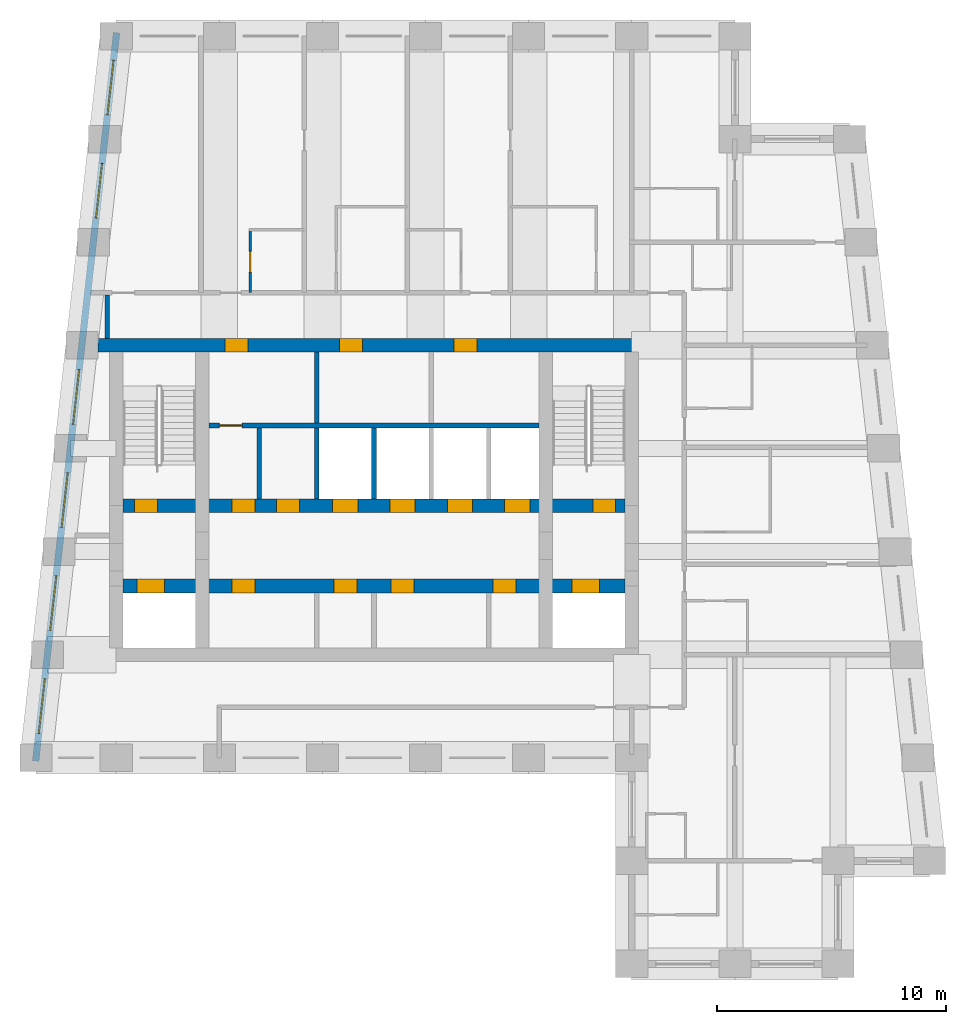
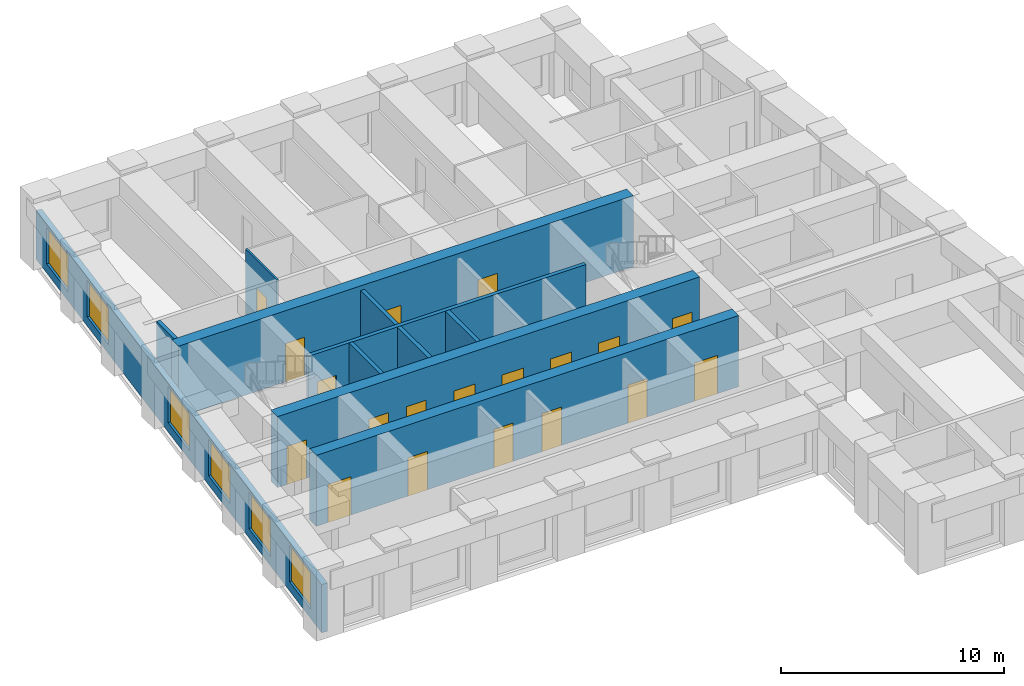
# One storey, part 3 of 7: 19 doors, 11 walls, 6 windows, 25 openings.
"""IFC4 building model written with IfcOpenShell, lengths in metres."""

from ifc_helpers import new_model, si_unit, direction, frame, frame_2d, origin, place, context, subcontext, project, spatial, rectangle, extrude, material, layer, layer_set, type_object, element, fill, save


model = new_model("IFC4")

# Units and contexts
model_context = context("Model", 3, precision=1e-05, world=origin(), true_north=direction((0.0, 1.0)))
body_context = subcontext(model_context, "Body", "Model", "MODEL_VIEW")
ifc_project = project(units=[si_unit("LENGTHUNIT", "METRE"), si_unit("AREAUNIT", "SQUARE_METRE"), si_unit("VOLUMEUNIT", "CUBIC_METRE"), si_unit("PLANEANGLEUNIT", "RADIAN"), si_unit("MASSUNIT", "GRAM", prefix="KILO")], contexts=[model_context])

# Site, building, storey
site_placement = place(None, origin())
site = spatial("IfcSite", under=ifc_project, at=site_placement, CompositionType="ELEMENT")
building_placement = place(site_placement, origin())
building = spatial("IfcBuilding", under=site, at=building_placement, Name="Kilele Tower Hotel", CompositionType="ELEMENT")
storey_placement = place(building_placement, frame((0.0, 0.0, 270.199951171875)))
storey = spatial("IfcBuildingStorey", under=building, at=storey_placement, Name="L69", CompositionType="ELEMENT", Elevation=270.199951171875)

# Wall, opening, door
ifc_material_1 = material(Name="Moisture-resistant board")
ifc_layer_1 = layer(ifc_material_1, 0.10009765625)
ifc_layer_set_1 = layer_set([ifc_layer_1], Name="Moisture-resistant board")
wall_type_1 = type_object("IfcWallType", Name="Bathroom partition 100", PredefinedType="PLUMBINGWALL", material=ifc_layer_set_1)
wall_1_placement = place(storey_placement, frame((19.35009765625, 29.300048828125, 0.0), z_axis=(0.0, 0.0, 1.0), x_axis=(0.0, 1.0, 0.0)))
wall_1 = element("IfcWall", 1, at=wall_1_placement, inside=storey, type_object=wall_type_1, Name="Bathroom partition 100 L69", PredefinedType="PLUMBINGWALL", context=body_context, shape_type="SweptSolid", body=[
    extrude(rectangle(XDim=2.800048828125, YDim=0.10009765625, at=frame_2d((1.39990234375, 0.0))), origin(), (0.0, 0.0, 1.0), 3.650146484375),
])
opening_1_placement = place(wall_1_placement, frame((0.89990234375, 0.0, 0.0)))
opening_1 = element("IfcOpeningElement", 2, at=opening_1_placement, cuts=wall_1, Name="Opening D2A", PredefinedType="OPENING", context=body_context, shape_type="SweptSolid", body=[
    extrude(rectangle(XDim=0.89990234375, YDim=2.10009765625, at=frame_2d((0.449951171875, 1.050048828125))), frame((0.0, 0.06005859375, 0.0), z_axis=(0.0, -1.0, 0.0), x_axis=(1.0, 0.0, 0.0)), (0.0, 0.0, 1.0), 0.1201171875),
])
ifc_material_2 = material(Name="Timber door leaf in hardwood frame", Category="wood")
door_type_1 = type_object("IfcDoorType", Name="Bathroom door 900", OperationType="SINGLE_SWING_LEFT", PredefinedType="DOOR", material=ifc_material_2)
door_1_placement = place(opening_1_placement, origin())
door_1 = element("IfcDoor", 3, at=door_1_placement, inside=storey, type_object=door_type_1, Name="Bathroom door 6907B", OperationType="SINGLE_SWING_LEFT", OverallHeight=2.10009765625, OverallWidth=0.89990234375, PredefinedType="DOOR", context=body_context, shape_type="SweptSolid", body=[
    extrude(rectangle(XDim=0.89990234375, YDim=2.10009765625, at=frame_2d((0.449951171875, 1.050048828125))), frame((0.0, 0.02490234375, 0.0), z_axis=(0.0, -1.0, 0.0), x_axis=(1.0, 0.0, 0.0)), (0.0, 0.0, 1.0), 0.050048828125),
])
fill(opening_1, door_1)

# Wall, openings, doors
ifc_material_3 = material(Name="Concrete C60/75", Category="concrete")
ifc_layer_2 = layer(ifc_material_3, 0.60009765625)
ifc_layer_set_2 = layer_set([ifc_layer_2], Name="Concrete C60/75")
wall_type_2 = type_object("IfcWallType", Name="Core wall 600 C60/75", PredefinedType="SHEAR", material=ifc_layer_set_2)
wall_2_placement = place(storey_placement, frame((36.300048828125, 27.0, 0.0), z_axis=(0.0, 0.0, 1.0), x_axis=(-1.0, 0.0, 0.0)))
wall_2 = element("IfcWall", 4, at=wall_2_placement, inside=storey, type_object=wall_type_2, Name="Core wall N L69", PredefinedType="SHEAR", context=body_context, shape_type="SweptSolid", body=[
    extrude(rectangle(XDim=23.60009765625, YDim=0.60009765625, at=frame_2d((11.800048828125, 0.0))), origin(), (0.0, 0.0, 1.0), 3.900146484375),
])
opening_2_placement = place(wall_2_placement, frame((17.050048828125, 0.0, 0.0)))
opening_2 = element("IfcOpeningElement", 5, at=opening_2_placement, cuts=wall_2, Name="Opening D12", PredefinedType="OPENING", context=body_context, shape_type="SweptSolid", body=[
    extrude(rectangle(XDim=1.0, YDim=2.10009765625, at=frame_2d((0.5, 1.050048828125))), frame((0.0, 0.31005859375, 0.0), z_axis=(0.0, -1.0, 0.0), x_axis=(1.0, 0.0, 0.0)), (0.0, 0.0, 1.0), 0.6201171875),
])
opening_3_placement = place(wall_2_placement, frame((12.050048828125, 0.0, 0.0)))
opening_3 = element("IfcOpeningElement", 6, at=opening_3_placement, cuts=wall_2, Name="Opening D6", PredefinedType="OPENING", context=body_context, shape_type="SweptSolid", body=[
    extrude(rectangle(XDim=1.0, YDim=2.10009765625, at=frame_2d((0.5, 1.050048828125))), frame((0.0, 0.31005859375, 0.0), z_axis=(0.0, -1.0, 0.0), x_axis=(1.0, 0.0, 0.0)), (0.0, 0.0, 1.0), 0.6201171875),
])
opening_4_placement = place(wall_2_placement, frame((7.050048828125, 0.0, 0.0)))
opening_4 = element("IfcOpeningElement", 7, at=opening_4_placement, cuts=wall_2, Name="Opening D6", PredefinedType="OPENING", context=body_context, shape_type="SweptSolid", body=[
    extrude(rectangle(XDim=1.0, YDim=2.10009765625, at=frame_2d((0.5, 1.050048828125))), frame((0.0, 0.31005859375, 0.0), z_axis=(0.0, -1.0, 0.0), x_axis=(1.0, 0.0, 0.0)), (0.0, 0.0, 1.0), 0.6201171875),
])
ifc_material_4 = material(Name="Timber door leaf in hardwood frame", Category="wood")
door_type_2 = type_object("IfcDoorType", Name="Core lobby door 1000", OperationType="SINGLE_SWING_LEFT", PredefinedType="DOOR", material=ifc_material_4)
door_2_placement = place(opening_2_placement, origin())
door_2 = element("IfcDoor", 8, at=door_2_placement, inside=storey, type_object=door_type_2, Name="North lobby door L69", OperationType="SINGLE_SWING_RIGHT", OverallHeight=2.10009765625, OverallWidth=1.0, PredefinedType="DOOR", context=body_context, shape_type="SweptSolid", body=[
    extrude(rectangle(XDim=1.0, YDim=2.10009765625, at=frame_2d((0.5, 1.050048828125))), frame((0.0, 0.2998046875, 0.0), z_axis=(0.0, -1.0, 0.0), x_axis=(1.0, 0.0, 0.0)), (0.0, 0.0, 1.0), 0.599609375),
])
fill(opening_2, door_2)
ifc_material_5 = material(Name="Timber door leaf in hardwood frame", Category="wood")
door_type_3 = type_object("IfcDoorType", Name="Riser door 1000", OperationType="SINGLE_SWING_LEFT", PredefinedType="DOOR", material=ifc_material_5)
door_3_placement = place(opening_3_placement, origin())
door_3 = element("IfcDoor", 9, at=door_3_placement, inside=storey, type_object=door_type_3, Name="Guest pantry door L69", OperationType="SINGLE_SWING_RIGHT", OverallHeight=2.10009765625, OverallWidth=1.0, PredefinedType="DOOR", context=body_context, shape_type="SweptSolid", body=[
    extrude(rectangle(XDim=1.0, YDim=2.10009765625, at=frame_2d((0.5, 1.050048828125))), frame((0.0, 0.2998046875, 0.0), z_axis=(0.0, -1.0, 0.0), x_axis=(1.0, 0.0, 0.0)), (0.0, 0.0, 1.0), 0.599609375),
])
fill(opening_3, door_3)
door_4_placement = place(opening_4_placement, origin())
door_4 = element("IfcDoor", 10, at=door_4_placement, inside=storey, type_object=door_type_3, Name="Electrical riser door L69", OperationType="SINGLE_SWING_RIGHT", OverallHeight=2.10009765625, OverallWidth=1.0, PredefinedType="DOOR", context=body_context, shape_type="SweptSolid", body=[
    extrude(rectangle(XDim=1.0, YDim=2.10009765625, at=frame_2d((0.5, 1.050048828125))), frame((0.0, 0.2998046875, 0.0), z_axis=(0.0, -1.0, 0.0), x_axis=(1.0, 0.0, 0.0)), (0.0, 0.0, 1.0), 0.599609375),
])
fill(opening_4, door_4)

wall_3_placement = place(storey_placement, frame((13.800048828125, 16.5, 0.0), z_axis=(0.0, 0.0, 1.0), x_axis=(1.0, 0.0, 0.0)))
wall_3 = element("IfcWall", 11, at=wall_3_placement, inside=storey, type_object=wall_type_2, Name="Core wall LS L69", PredefinedType="SHEAR", context=body_context, shape_type="SweptSolid", body=[
    extrude(rectangle(XDim=21.89990234375, YDim=0.60009765625, at=frame_2d((10.949951171875, 0.0))), origin(), (0.0, 0.0, 1.0), 3.900146484375),
])
opening_5_placement = place(wall_3_placement, frame((5.75, 0.0, 0.0), z_axis=(0.0, 0.0, 1.0), x_axis=(-1.0, 0.0, 0.0)))
opening_5 = element("IfcOpeningElement", 12, at=opening_5_placement, cuts=wall_3, Name="Opening D11", PredefinedType="OPENING", context=body_context, shape_type="SweptSolid", body=[
    extrude(rectangle(XDim=1.0, YDim=2.10009765625, at=frame_2d((0.5, 1.050048828125))), frame((0.0, 0.31005859375, 0.0), z_axis=(0.0, -1.0, 0.0), x_axis=(1.0, 0.0, 0.0)), (0.0, 0.0, 1.0), 0.6201171875),
])
opening_6_placement = place(wall_3_placement, frame((10.199951171875, 0.0, 0.0), z_axis=(0.0, 0.0, 1.0), x_axis=(-1.0, 0.0, 0.0)))
opening_6 = element("IfcOpeningElement", 13, at=opening_6_placement, cuts=wall_3, Name="Opening D11", PredefinedType="OPENING", context=body_context, shape_type="SweptSolid", body=[
    extrude(rectangle(XDim=1.0, YDim=2.10009765625, at=frame_2d((0.5, 1.050048828125))), frame((0.0, 0.31005859375, 0.0), z_axis=(0.0, -1.0, 0.0), x_axis=(1.0, 0.0, 0.0)), (0.0, 0.0, 1.0), 0.6201171875),
])
opening_7_placement = place(wall_3_placement, frame((12.699951171875, 0.0, 0.0), z_axis=(0.0, 0.0, 1.0), x_axis=(-1.0, 0.0, 0.0)))
opening_7 = element("IfcOpeningElement", 14, at=opening_7_placement, cuts=wall_3, Name="Opening D11", PredefinedType="OPENING", context=body_context, shape_type="SweptSolid", body=[
    extrude(rectangle(XDim=1.0, YDim=2.10009765625, at=frame_2d((0.5, 1.050048828125))), frame((0.0, 0.31005859375, 0.0), z_axis=(0.0, -1.0, 0.0), x_axis=(1.0, 0.0, 0.0)), (0.0, 0.0, 1.0), 0.6201171875),
])
opening_8_placement = place(wall_3_placement, frame((17.14990234375, 0.0, 0.0), z_axis=(0.0, 0.0, 1.0), x_axis=(-1.0, 0.0, 0.0)))
opening_8 = element("IfcOpeningElement", 15, at=opening_8_placement, cuts=wall_3, Name="Opening D11", PredefinedType="OPENING", context=body_context, shape_type="SweptSolid", body=[
    extrude(rectangle(XDim=1.0, YDim=2.10009765625, at=frame_2d((0.5, 1.050048828125))), frame((0.0, 0.31005859375, 0.0), z_axis=(0.0, -1.0, 0.0), x_axis=(1.0, 0.0, 0.0)), (0.0, 0.0, 1.0), 0.6201171875),
])
opening_9_placement = place(wall_3_placement, frame((0.60009765625, 0.0, 0.0)))
opening_9 = element("IfcOpeningElement", 16, at=opening_9_placement, cuts=wall_3, Name="Opening LD2", PredefinedType="OPENING", context=body_context, shape_type="SweptSolid", body=[
    extrude(rectangle(XDim=1.199951171875, YDim=2.10009765625, at=frame_2d((0.60009765625, 1.050048828125))), frame((0.0, 0.31005859375, 0.0), z_axis=(0.0, -1.0, 0.0), x_axis=(1.0, 0.0, 0.0)), (0.0, 0.0, 1.0), 0.6201171875),
])
opening_10_placement = place(wall_3_placement, frame((19.60009765625, 0.0, 0.0)))
opening_10 = element("IfcOpeningElement", 17, at=opening_10_placement, cuts=wall_3, Name="Opening LD2", PredefinedType="OPENING", context=body_context, shape_type="SweptSolid", body=[
    extrude(rectangle(XDim=1.199951171875, YDim=2.10009765625, at=frame_2d((0.60009765625, 1.050048828125))), frame((0.0, 0.31005859375, 0.0), z_axis=(0.0, -1.0, 0.0), x_axis=(1.0, 0.0, 0.0)), (0.0, 0.0, 1.0), 0.6201171875),
])
ifc_material_6 = material(Name="Timber door leaf in hardwood frame", Category="wood")
door_type_4 = type_object("IfcDoorType", Name="Core store door 1000", OperationType="SINGLE_SWING_LEFT", PredefinedType="DOOR", material=ifc_material_6)
door_5_placement = place(opening_5_placement, origin())
door_5 = element("IfcDoor", 18, at=door_5_placement, inside=storey, type_object=door_type_4, Name="Core room door L1 L69", OperationType="SINGLE_SWING_RIGHT", OverallHeight=2.10009765625, OverallWidth=1.0, PredefinedType="DOOR", context=body_context, shape_type="SweptSolid", body=[
    extrude(rectangle(XDim=1.0, YDim=2.10009765625, at=frame_2d((0.5, 1.050048828125))), frame((0.0, 0.2998046875, 0.0), z_axis=(0.0, -1.0, 0.0), x_axis=(1.0, 0.0, 0.0)), (0.0, 0.0, 1.0), 0.599609375),
])
fill(opening_5, door_5)
door_6_placement = place(opening_6_placement, origin())
door_6 = element("IfcDoor", 19, at=door_6_placement, inside=storey, type_object=door_type_4, Name="Core room door L3 L69", OperationType="SINGLE_SWING_RIGHT", OverallHeight=2.10009765625, OverallWidth=1.0, PredefinedType="DOOR", context=body_context, shape_type="SweptSolid", body=[
    extrude(rectangle(XDim=1.0, YDim=2.10009765625, at=frame_2d((0.5, 1.050048828125))), frame((0.0, 0.2998046875, 0.0), z_axis=(0.0, -1.0, 0.0), x_axis=(1.0, 0.0, 0.0)), (0.0, 0.0, 1.0), 0.599609375),
])
fill(opening_6, door_6)
door_7_placement = place(opening_7_placement, origin())
door_7 = element("IfcDoor", 20, at=door_7_placement, inside=storey, type_object=door_type_4, Name="Core room door M1 L69", OperationType="SINGLE_SWING_RIGHT", OverallHeight=2.10009765625, OverallWidth=1.0, PredefinedType="DOOR", context=body_context, shape_type="SweptSolid", body=[
    extrude(rectangle(XDim=1.0, YDim=2.10009765625, at=frame_2d((0.5, 1.050048828125))), frame((0.0, 0.2998046875, 0.0), z_axis=(0.0, -1.0, 0.0), x_axis=(1.0, 0.0, 0.0)), (0.0, 0.0, 1.0), 0.599609375),
])
fill(opening_7, door_7)
door_8_placement = place(opening_8_placement, origin())
door_8 = element("IfcDoor", 21, at=door_8_placement, inside=storey, type_object=door_type_4, Name="Core room door M3 L69", OperationType="SINGLE_SWING_RIGHT", OverallHeight=2.10009765625, OverallWidth=1.0, PredefinedType="DOOR", context=body_context, shape_type="SweptSolid", body=[
    extrude(rectangle(XDim=1.0, YDim=2.10009765625, at=frame_2d((0.5, 1.050048828125))), frame((0.0, 0.2998046875, 0.0), z_axis=(0.0, -1.0, 0.0), x_axis=(1.0, 0.0, 0.0)), (0.0, 0.0, 1.0), 0.599609375),
])
fill(opening_8, door_8)
ifc_material_7 = material(Name="Steel lift landing door", Category="steel")
door_type_5 = type_object("IfcDoorType", Name="Firefighting lift landing door 1200", OperationType="SLIDING_TO_LEFT", PredefinedType="DOOR", material=ifc_material_7)
door_9_placement = place(opening_9_placement, origin())
door_9 = element("IfcDoor", 22, at=door_9_placement, inside=storey, type_object=door_type_5, Name="Landing door FFW L69", OperationType="SLIDING_TO_LEFT", OverallHeight=2.10009765625, OverallWidth=1.199951171875, PredefinedType="DOOR", context=body_context, shape_type="SweptSolid", body=[
    extrude(rectangle(XDim=1.199951171875, YDim=2.10009765625, at=frame_2d((0.60009765625, 1.050048828125))), frame((0.0, 0.2998046875, 0.0), z_axis=(0.0, -1.0, 0.0), x_axis=(1.0, 0.0, 0.0)), (0.0, 0.0, 1.0), 0.599609375),
])
fill(opening_9, door_9)
door_10_placement = place(opening_10_placement, origin())
door_10 = element("IfcDoor", 23, at=door_10_placement, inside=storey, type_object=door_type_5, Name="Landing door FFE L69", OperationType="SLIDING_TO_LEFT", OverallHeight=2.10009765625, OverallWidth=1.199951171875, PredefinedType="DOOR", context=body_context, shape_type="SweptSolid", body=[
    extrude(rectangle(XDim=1.199951171875, YDim=2.10009765625, at=frame_2d((0.60009765625, 1.050048828125))), frame((0.0, 0.2998046875, 0.0), z_axis=(0.0, -1.0, 0.0), x_axis=(1.0, 0.0, 0.0)), (0.0, 0.0, 1.0), 0.599609375),
])
fill(opening_10, door_10)

wall_4_placement = place(storey_placement, frame((13.800048828125, 20.0, 0.0), z_axis=(0.0, 0.0, 1.0), x_axis=(1.0, 0.0, 0.0)))
wall_4 = element("IfcWall", 24, at=wall_4_placement, inside=storey, type_object=wall_type_2, Name="Core wall LN L69", PredefinedType="SHEAR", context=body_context, shape_type="SweptSolid", body=[
    extrude(rectangle(XDim=21.89990234375, YDim=0.60009765625, at=frame_2d((10.949951171875, 0.0))), origin(), (0.0, 0.0, 1.0), 3.900146484375),
])
opening_11_placement = place(wall_4_placement, frame((0.5, 0.0, 0.0)))
opening_11 = element("IfcOpeningElement", 25, at=opening_11_placement, cuts=wall_4, Name="Opening D5", PredefinedType="OPENING", context=body_context, shape_type="SweptSolid", body=[
    extrude(rectangle(XDim=1.0, YDim=2.10009765625, at=frame_2d((0.5, 1.050048828125))), frame((0.0, 0.31005859375, 0.0), z_axis=(0.0, -1.0, 0.0), x_axis=(1.0, 0.0, 0.0)), (0.0, 0.0, 1.0), 0.6201171875),
])
opening_12_placement = place(wall_4_placement, frame((20.5, 0.0, 0.0)))
opening_12 = element("IfcOpeningElement", 26, at=opening_12_placement, cuts=wall_4, Name="Opening D5", PredefinedType="OPENING", context=body_context, shape_type="SweptSolid", body=[
    extrude(rectangle(XDim=1.0, YDim=2.10009765625, at=frame_2d((0.5, 1.050048828125))), frame((0.0, 0.31005859375, 0.0), z_axis=(0.0, -1.0, 0.0), x_axis=(1.0, 0.0, 0.0)), (0.0, 0.0, 1.0), 0.6201171875),
])
opening_13_placement = place(wall_4_placement, frame((9.14990234375, 0.0, 0.0)))
opening_13 = element("IfcOpeningElement", 27, at=opening_13_placement, cuts=wall_4, Name="Opening LD1", PredefinedType="OPENING", context=body_context, shape_type="SweptSolid", body=[
    extrude(rectangle(XDim=1.10009765625, YDim=2.10009765625, at=frame_2d((0.550048828125, 1.050048828125))), frame((0.0, 0.31005859375, 0.0), z_axis=(0.0, -1.0, 0.0), x_axis=(1.0, 0.0, 0.0)), (0.0, 0.0, 1.0), 0.6201171875),
])
opening_14_placement = place(wall_4_placement, frame((11.64990234375, 0.0, 0.0)))
opening_14 = element("IfcOpeningElement", 28, at=opening_14_placement, cuts=wall_4, Name="Opening LD1", PredefinedType="OPENING", context=body_context, shape_type="SweptSolid", body=[
    extrude(rectangle(XDim=1.10009765625, YDim=2.10009765625, at=frame_2d((0.550048828125, 1.050048828125))), frame((0.0, 0.31005859375, 0.0), z_axis=(0.0, -1.0, 0.0), x_axis=(1.0, 0.0, 0.0)), (0.0, 0.0, 1.0), 0.6201171875),
])
opening_15_placement = place(wall_4_placement, frame((14.14990234375, 0.0, 0.0)))
opening_15 = element("IfcOpeningElement", 29, at=opening_15_placement, cuts=wall_4, Name="Opening LD1", PredefinedType="OPENING", context=body_context, shape_type="SweptSolid", body=[
    extrude(rectangle(XDim=1.10009765625, YDim=2.10009765625, at=frame_2d((0.550048828125, 1.050048828125))), frame((0.0, 0.31005859375, 0.0), z_axis=(0.0, -1.0, 0.0), x_axis=(1.0, 0.0, 0.0)), (0.0, 0.0, 1.0), 0.6201171875),
])
opening_16_placement = place(wall_4_placement, frame((16.64990234375, 0.0, 0.0)))
opening_16 = element("IfcOpeningElement", 30, at=opening_16_placement, cuts=wall_4, Name="Opening LD1", PredefinedType="OPENING", context=body_context, shape_type="SweptSolid", body=[
    extrude(rectangle(XDim=1.10009765625, YDim=2.10009765625, at=frame_2d((0.550048828125, 1.050048828125))), frame((0.0, 0.31005859375, 0.0), z_axis=(0.0, -1.0, 0.0), x_axis=(1.0, 0.0, 0.0)), (0.0, 0.0, 1.0), 0.6201171875),
])
opening_17_placement = place(wall_4_placement, frame((5.75, 0.0, 0.0), z_axis=(0.0, 0.0, 1.0), x_axis=(-1.0, 0.0, 0.0)))
opening_17 = element("IfcOpeningElement", 31, at=opening_17_placement, cuts=wall_4, Name="Opening D12", PredefinedType="OPENING", context=body_context, shape_type="SweptSolid", body=[
    extrude(rectangle(XDim=1.0, YDim=2.10009765625, at=frame_2d((0.5, 1.050048828125))), frame((0.0, 0.31005859375, 0.0), z_axis=(0.0, -1.0, 0.0), x_axis=(1.0, 0.0, 0.0)), (0.0, 0.0, 1.0), 0.6201171875),
])
opening_18_placement = place(wall_4_placement, frame((6.699951171875, 0.0, 0.0)))
opening_18 = element("IfcOpeningElement", 32, at=opening_18_placement, cuts=wall_4, Name="Opening D11", PredefinedType="OPENING", context=body_context, shape_type="SweptSolid", body=[
    extrude(rectangle(XDim=1.0, YDim=2.10009765625, at=frame_2d((0.5, 1.050048828125))), frame((0.0, 0.31005859375, 0.0), z_axis=(0.0, -1.0, 0.0), x_axis=(1.0, 0.0, 0.0)), (0.0, 0.0, 1.0), 0.6201171875),
])
door_11_placement = place(opening_17_placement, origin())
door_11 = element("IfcDoor", 33, at=door_11_placement, inside=storey, type_object=door_type_2, Name="Core passage door L69", OperationType="SINGLE_SWING_RIGHT", OverallHeight=2.10009765625, OverallWidth=1.0, PredefinedType="DOOR", context=body_context, shape_type="SweptSolid", body=[
    extrude(rectangle(XDim=1.0, YDim=2.10009765625, at=frame_2d((0.5, 1.050048828125))), frame((0.0, 0.2998046875, 0.0), z_axis=(0.0, -1.0, 0.0), x_axis=(1.0, 0.0, 0.0)), (0.0, 0.0, 1.0), 0.599609375),
])
fill(opening_17, door_11)
door_12_placement = place(opening_18_placement, origin())
door_12 = element("IfcDoor", 34, at=door_12_placement, inside=storey, type_object=door_type_4, Name="Core room door S2 L69", OperationType="SINGLE_SWING_LEFT", OverallHeight=2.10009765625, OverallWidth=1.0, PredefinedType="DOOR", context=body_context, shape_type="SweptSolid", body=[
    extrude(rectangle(XDim=1.0, YDim=2.10009765625, at=frame_2d((0.5, 1.050048828125))), frame((0.0, 0.2998046875, 0.0), z_axis=(0.0, -1.0, 0.0), x_axis=(1.0, 0.0, 0.0)), (0.0, 0.0, 1.0), 0.599609375),
])
fill(opening_18, door_12)
ifc_material_8 = material(Name="Steel lift landing door", Category="steel")
door_type_6 = type_object("IfcDoorType", Name="Lift landing door 1100", OperationType="SLIDING_TO_LEFT", PredefinedType="DOOR", material=ifc_material_8)
door_13_placement = place(opening_13_placement, origin())
door_13 = element("IfcDoor", 35, at=door_13_placement, inside=storey, type_object=door_type_6, Name="Landing door H1 L69", OperationType="SLIDING_TO_LEFT", OverallHeight=2.10009765625, OverallWidth=1.10009765625, PredefinedType="DOOR", context=body_context, shape_type="SweptSolid", body=[
    extrude(rectangle(XDim=1.10009765625, YDim=2.10009765625, at=frame_2d((0.550048828125, 1.050048828125))), frame((0.0, 0.2998046875, 0.0), z_axis=(0.0, -1.0, 0.0), x_axis=(1.0, 0.0, 0.0)), (0.0, 0.0, 1.0), 0.599609375),
])
fill(opening_13, door_13)
door_14_placement = place(opening_14_placement, origin())
door_14 = element("IfcDoor", 36, at=door_14_placement, inside=storey, type_object=door_type_6, Name="Landing door H2 L69", OperationType="SLIDING_TO_LEFT", OverallHeight=2.10009765625, OverallWidth=1.10009765625, PredefinedType="DOOR", context=body_context, shape_type="SweptSolid", body=[
    extrude(rectangle(XDim=1.10009765625, YDim=2.10009765625, at=frame_2d((0.550048828125, 1.050048828125))), frame((0.0, 0.2998046875, 0.0), z_axis=(0.0, -1.0, 0.0), x_axis=(1.0, 0.0, 0.0)), (0.0, 0.0, 1.0), 0.599609375),
])
fill(opening_14, door_14)
door_15_placement = place(opening_15_placement, origin())
door_15 = element("IfcDoor", 37, at=door_15_placement, inside=storey, type_object=door_type_6, Name="Landing door H3 L69", OperationType="SLIDING_TO_LEFT", OverallHeight=2.10009765625, OverallWidth=1.10009765625, PredefinedType="DOOR", context=body_context, shape_type="SweptSolid", body=[
    extrude(rectangle(XDim=1.10009765625, YDim=2.10009765625, at=frame_2d((0.550048828125, 1.050048828125))), frame((0.0, 0.2998046875, 0.0), z_axis=(0.0, -1.0, 0.0), x_axis=(1.0, 0.0, 0.0)), (0.0, 0.0, 1.0), 0.599609375),
])
fill(opening_15, door_15)
door_16_placement = place(opening_16_placement, origin())
door_16 = element("IfcDoor", 38, at=door_16_placement, inside=storey, type_object=door_type_6, Name="Landing door G1 L69", OperationType="SLIDING_TO_LEFT", OverallHeight=2.10009765625, OverallWidth=1.10009765625, PredefinedType="DOOR", context=body_context, shape_type="SweptSolid", body=[
    extrude(rectangle(XDim=1.10009765625, YDim=2.10009765625, at=frame_2d((0.550048828125, 1.050048828125))), frame((0.0, 0.2998046875, 0.0), z_axis=(0.0, -1.0, 0.0), x_axis=(1.0, 0.0, 0.0)), (0.0, 0.0, 1.0), 0.599609375),
])
fill(opening_16, door_16)
ifc_material_9 = material(Name="Timber door leaf in hardwood frame", Category="wood")
door_type_7 = type_object("IfcDoorType", Name="Stair door 1000", OperationType="SINGLE_SWING_LEFT", PredefinedType="DOOR", material=ifc_material_9)
door_17_placement = place(opening_11_placement, origin())
door_17 = element("IfcDoor", 39, at=door_17_placement, inside=storey, type_object=door_type_7, Name="Stair 1 door L69", OperationType="SINGLE_SWING_LEFT", OverallHeight=2.10009765625, OverallWidth=1.0, PredefinedType="DOOR", context=body_context, shape_type="SweptSolid", body=[
    extrude(rectangle(XDim=1.0, YDim=2.10009765625, at=frame_2d((0.5, 1.050048828125))), frame((0.0, 0.2998046875, 0.0), z_axis=(0.0, -1.0, 0.0), x_axis=(1.0, 0.0, 0.0)), (0.0, 0.0, 1.0), 0.599609375),
])
fill(opening_11, door_17)
door_18_placement = place(opening_12_placement, origin())
door_18 = element("IfcDoor", 40, at=door_18_placement, inside=storey, type_object=door_type_7, Name="Stair 2 door L69", OperationType="SINGLE_SWING_RIGHT", OverallHeight=2.10009765625, OverallWidth=1.0, PredefinedType="DOOR", context=body_context, shape_type="SweptSolid", body=[
    extrude(rectangle(XDim=1.0, YDim=2.10009765625, at=frame_2d((0.5, 1.050048828125))), frame((0.0, 0.2998046875, 0.0), z_axis=(0.0, -1.0, 0.0), x_axis=(1.0, 0.0, 0.0)), (0.0, 0.0, 1.0), 0.599609375),
])
fill(opening_12, door_18)

# Wall
ifc_material_10 = material(Name="Blockwork, plastered both sides", Category="masonry")
ifc_layer_3 = layer(ifc_material_10, 0.199951171875)
ifc_layer_set_3 = layer_set([ifc_layer_3], Name="Blockwork, plastered both sides")
wall_type_3 = type_object("IfcWallType", Name="Partition wall 200", PredefinedType="PARTITIONING", material=ifc_layer_set_3)
wall_5_placement = place(storey_placement, frame((13.10009765625, 27.300048828125, 0.0), z_axis=(0.0, 0.0, 1.0), x_axis=(0.0, 1.0, 0.0)))
element("IfcWall", 41, at=wall_5_placement, inside=storey, type_object=wall_type_3, Name="Partition wall 200 L69", PredefinedType="PARTITIONING", context=body_context, shape_type="SweptSolid", body=[
    extrude(rectangle(XDim=1.89990234375, YDim=0.199951171875, at=frame_2d((0.949951171875, 0.0))), origin(), (0.0, 0.0, 1.0), 3.650146484375),
])

# Wall, openings, windows
ifc_material_11 = material(Name="Concrete C40/50 precast", Category="concrete")
ifc_layer_4 = layer(ifc_material_11, 0.260009765625, Name="Precast backing", Category="LoadBearing")
ifc_material_12 = material(Name="Reconstituted stone finish", Category="masonry")
ifc_layer_5 = layer(ifc_material_12, 0.0400390625, Name="Face mix", Category="Finish")
ifc_layer_set_4 = layer_set([ifc_layer_4, ifc_layer_5], Name="Precast concrete C40/50, reconstituted stone finish")
wall_type_4 = type_object("IfcWallType", Name="Precast stone facade wall 300", PredefinedType="STANDARD", material=ifc_layer_set_4)
wall_6_placement = place(storey_placement, frame((13.5166015625, 40.649169921875, 0.0), z_axis=(0.0, 0.0, 1.0), x_axis=(-0.110433201132, -0.993883548555, 0.0)))
wall_6 = element("IfcWall", 42, at=wall_6_placement, inside=storey, type_object=wall_type_4, Name="Facade wall L69 edge 10", PredefinedType="STANDARD", context=body_context, shape_type="SweptSolid", body=[
    extrude(rectangle(XDim=31.994140625, YDim=0.300048828125, at=frame_2d((15.9970703125, 0.0))), origin(), (0.0, 0.0, 1.0), 2.650146484375),
])
opening_19_placement = place(wall_6_placement, frame((1.214111328125, 0.0, 0.5)))
opening_19 = element("IfcOpeningElement", 43, at=opening_19_placement, cuts=wall_6, Name="Opening W4", PredefinedType="OPENING", context=body_context, shape_type="SweptSolid", body=[
    extrude(rectangle(XDim=2.39990234375, YDim=2.0, at=frame_2d((1.199951171875, 1.0))), frame((0.0, 0.159912109375, 0.0), z_axis=(0.0, -1.0, 0.0), x_axis=(1.0, 0.0, 0.0)), (0.0, 0.0, 1.0), 0.320068359375),
])
opening_20_placement = place(wall_6_placement, frame((5.741943359375, 0.0, 0.5)))
opening_20 = element("IfcOpeningElement", 44, at=opening_20_placement, cuts=wall_6, Name="Opening W4", PredefinedType="OPENING", context=body_context, shape_type="SweptSolid", body=[
    extrude(rectangle(XDim=2.39990234375, YDim=2.0, at=frame_2d((1.199951171875, 1.0))), frame((0.0, 0.159912109375, 0.0), z_axis=(0.0, -1.0, 0.0), x_axis=(1.0, 0.0, 0.0)), (0.0, 0.0, 1.0), 0.320068359375),
])
opening_21_placement = place(wall_6_placement, frame((14.797119140625, 0.0, 0.5)))
opening_21 = element("IfcOpeningElement", 45, at=opening_21_placement, cuts=wall_6, Name="Opening W4", PredefinedType="OPENING", context=body_context, shape_type="SweptSolid", body=[
    extrude(rectangle(XDim=2.39990234375, YDim=2.0, at=frame_2d((1.199951171875, 1.0))), frame((0.0, 0.159912109375, 0.0), z_axis=(0.0, -1.0, 0.0), x_axis=(1.0, 0.0, 0.0)), (0.0, 0.0, 1.0), 0.320068359375),
])
opening_22_placement = place(wall_6_placement, frame((19.324951171875, 0.0, 0.5)))
opening_22 = element("IfcOpeningElement", 46, at=opening_22_placement, cuts=wall_6, Name="Opening W4", PredefinedType="OPENING", context=body_context, shape_type="SweptSolid", body=[
    extrude(rectangle(XDim=2.39990234375, YDim=2.0, at=frame_2d((1.199951171875, 1.0))), frame((0.0, 0.159912109375, 0.0), z_axis=(0.0, -1.0, 0.0), x_axis=(1.0, 0.0, 0.0)), (0.0, 0.0, 1.0), 0.320068359375),
])
opening_23_placement = place(wall_6_placement, frame((23.85205078125, 0.0, 0.5)))
opening_23 = element("IfcOpeningElement", 47, at=opening_23_placement, cuts=wall_6, Name="Opening W4", PredefinedType="OPENING", context=body_context, shape_type="SweptSolid", body=[
    extrude(rectangle(XDim=2.39990234375, YDim=2.0, at=frame_2d((1.199951171875, 1.0))), frame((0.0, 0.159912109375, 0.0), z_axis=(0.0, -1.0, 0.0), x_axis=(1.0, 0.0, 0.0)), (0.0, 0.0, 1.0), 0.320068359375),
])
opening_24_placement = place(wall_6_placement, frame((28.3798828125, 0.0, 0.5)))
opening_24 = element("IfcOpeningElement", 48, at=opening_24_placement, cuts=wall_6, Name="Opening W4", PredefinedType="OPENING", context=body_context, shape_type="SweptSolid", body=[
    extrude(rectangle(XDim=2.39990234375, YDim=2.0, at=frame_2d((1.199951171875, 1.0))), frame((0.0, 0.159912109375, 0.0), z_axis=(0.0, -1.0, 0.0), x_axis=(1.0, 0.0, 0.0)), (0.0, 0.0, 1.0), 0.320068359375),
])
ifc_material_13 = material(Name="Aluminium frame, clear double glazing", Category="aluminium")
window_type = type_object("IfcWindowType", Name="Window W4 2400 x 2000", PartitioningType="SINGLE_PANEL", PredefinedType="WINDOW", material=ifc_material_13)
window_1_placement = place(opening_19_placement, origin())
window_1 = element("IfcWindow", 49, at=window_1_placement, inside=storey, type_object=window_type, Name="Window L69", OverallHeight=2.0, OverallWidth=2.39990234375, PartitioningType="SINGLE_PANEL", PredefinedType="WINDOW", context=body_context, shape_type="SweptSolid", body=[
    extrude(rectangle(XDim=2.39990234375, YDim=2.0, at=frame_2d((1.199951171875, 1.0))), frame((0.0, 0.030029296875, 0.0), z_axis=(0.0, -1.0, 0.0), x_axis=(1.0, 0.0, 0.0)), (0.0, 0.0, 1.0), 0.06005859375),
])
fill(opening_19, window_1)
window_2_placement = place(opening_20_placement, origin())
window_2 = element("IfcWindow", 50, at=window_2_placement, inside=storey, type_object=window_type, Name="Window L69", OverallHeight=2.0, OverallWidth=2.39990234375, PartitioningType="SINGLE_PANEL", PredefinedType="WINDOW", context=body_context, shape_type="SweptSolid", body=[
    extrude(rectangle(XDim=2.39990234375, YDim=2.0, at=frame_2d((1.199951171875, 1.0))), frame((0.0, 0.030029296875, 0.0), z_axis=(0.0, -1.0, 0.0), x_axis=(1.0, 0.0, 0.0)), (0.0, 0.0, 1.0), 0.06005859375),
])
fill(opening_20, window_2)
window_3_placement = place(opening_21_placement, origin())
window_3 = element("IfcWindow", 51, at=window_3_placement, inside=storey, type_object=window_type, Name="Window L69", OverallHeight=2.0, OverallWidth=2.39990234375, PartitioningType="SINGLE_PANEL", PredefinedType="WINDOW", context=body_context, shape_type="SweptSolid", body=[
    extrude(rectangle(XDim=2.39990234375, YDim=2.0, at=frame_2d((1.199951171875, 1.0))), frame((0.0, 0.030029296875, 0.0), z_axis=(0.0, -1.0, 0.0), x_axis=(1.0, 0.0, 0.0)), (0.0, 0.0, 1.0), 0.06005859375),
])
fill(opening_21, window_3)
window_4_placement = place(opening_22_placement, origin())
window_4 = element("IfcWindow", 52, at=window_4_placement, inside=storey, type_object=window_type, Name="Window L69", OverallHeight=2.0, OverallWidth=2.39990234375, PartitioningType="SINGLE_PANEL", PredefinedType="WINDOW", context=body_context, shape_type="SweptSolid", body=[
    extrude(rectangle(XDim=2.39990234375, YDim=2.0, at=frame_2d((1.199951171875, 1.0))), frame((0.0, 0.030029296875, 0.0), z_axis=(0.0, -1.0, 0.0), x_axis=(1.0, 0.0, 0.0)), (0.0, 0.0, 1.0), 0.06005859375),
])
fill(opening_22, window_4)
window_5_placement = place(opening_23_placement, origin())
window_5 = element("IfcWindow", 53, at=window_5_placement, inside=storey, type_object=window_type, Name="Window L69", OverallHeight=2.0, OverallWidth=2.39990234375, PartitioningType="SINGLE_PANEL", PredefinedType="WINDOW", context=body_context, shape_type="SweptSolid", body=[
    extrude(rectangle(XDim=2.39990234375, YDim=2.0, at=frame_2d((1.199951171875, 1.0))), frame((0.0, 0.030029296875, 0.0), z_axis=(0.0, -1.0, 0.0), x_axis=(1.0, 0.0, 0.0)), (0.0, 0.0, 1.0), 0.06005859375),
])
fill(opening_23, window_5)
window_6_placement = place(opening_24_placement, origin())
window_6 = element("IfcWindow", 54, at=window_6_placement, inside=storey, type_object=window_type, Name="Window L69", OverallHeight=2.0, OverallWidth=2.39990234375, PartitioningType="SINGLE_PANEL", PredefinedType="WINDOW", context=body_context, shape_type="SweptSolid", body=[
    extrude(rectangle(XDim=2.39990234375, YDim=2.0, at=frame_2d((1.199951171875, 1.0))), frame((0.0, 0.030029296875, 0.0), z_axis=(0.0, -1.0, 0.0), x_axis=(1.0, 0.0, 0.0)), (0.0, 0.0, 1.0), 0.06005859375),
])
fill(opening_24, window_6)

# Walls
ifc_material_14 = material(Name="Blockwork, fire-rated", Category="masonry")
ifc_layer_6 = layer(ifc_material_14, 0.199951171875)
ifc_layer_set_5 = layer_set([ifc_layer_6], Name="Blockwork, fire-rated")
wall_type_5 = type_object("IfcWallType", Name="Shaft wall 200", PredefinedType="PARTITIONING", material=ifc_layer_set_5)
for number, where, z_axis, x_axis, name in (
    (55, (19.75, 20.300048828125, 0.0), (0.0, 0.0, 1.0), (0.0, 1.0, 0.0), "Shaft wall 200 L69"),
    (56, (22.25, 20.300048828125, 0.0), (0.0, 0.0, 1.0), (0.0, 1.0, 0.0), "Shaft wall 200 L69"),
    (57, (24.75, 20.300048828125, 0.0), (0.0, 0.0, 1.0), (0.0, 1.0, 0.0), "Shaft wall 200 L69"),
):
    element("IfcWall", number, at=place(storey_placement, frame(where, z_axis=z_axis, x_axis=x_axis)), inside=storey, type_object=wall_type_5, Name=name, PredefinedType="PARTITIONING", context=body_context, shape_type="SweptSolid", body=[
        extrude(rectangle(XDim=3.099853515625, YDim=0.199951171875, at=frame_2d((1.5498046875, 0.0))), origin(), (0.0, 0.0, 1.0), 3.650146484375),
    ])

# Wall, opening, door
wall_7_placement = place(storey_placement, frame((17.550048828125, 23.5, 0.0), z_axis=(0.0, 0.0, 1.0), x_axis=(1.0, 0.0, 0.0)))
wall_7 = element("IfcWall", 58, at=wall_7_placement, inside=storey, type_object=wall_type_5, Name="Shaft wall 200 L69", PredefinedType="PARTITIONING", context=body_context, shape_type="SweptSolid", body=[
    extrude(rectangle(XDim=14.39990234375, YDim=0.199951171875, at=frame_2d((7.199951171875, 0.0))), origin(), (0.0, 0.0, 1.0), 3.650146484375),
])
opening_25_placement = place(wall_7_placement, frame((0.449951171875, 0.0, 0.0)))
opening_25 = element("IfcOpeningElement", 59, at=opening_25_placement, cuts=wall_7, Name="Opening D12", PredefinedType="OPENING", context=body_context, shape_type="SweptSolid", body=[
    extrude(rectangle(XDim=1.0, YDim=2.10009765625, at=frame_2d((0.5, 1.050048828125))), frame((0.0, 0.10986328125, 0.0), z_axis=(0.0, -1.0, 0.0), x_axis=(1.0, 0.0, 0.0)), (0.0, 0.0, 1.0), 0.219970703125),
])
door_19_placement = place(opening_25_placement, origin())
door_19 = element("IfcDoor", 60, at=door_19_placement, inside=storey, type_object=door_type_2, Name="Core passage door", OperationType="SINGLE_SWING_LEFT", OverallHeight=2.10009765625, OverallWidth=1.0, PredefinedType="DOOR", context=body_context, shape_type="SweptSolid", body=[
    extrude(rectangle(XDim=1.0, YDim=2.10009765625, at=frame_2d((0.5, 1.050048828125))), frame((0.0, 0.02490234375, 0.0), z_axis=(0.0, -1.0, 0.0), x_axis=(1.0, 0.0, 0.0)), (0.0, 0.0, 1.0), 0.050048828125),
])
fill(opening_25, door_19)

# Wall
wall_8_placement = place(storey_placement, frame((22.25, 23.60009765625, 0.0), z_axis=(0.0, 0.0, 1.0), x_axis=(0.0, 1.0, 0.0)))
element("IfcWall", 61, at=wall_8_placement, inside=storey, type_object=wall_type_5, Name="Shaft wall 200 L69", PredefinedType="PARTITIONING", context=body_context, shape_type="SweptSolid", body=[
    extrude(rectangle(XDim=3.099853515625, YDim=0.199951171875, at=frame_2d((1.5498046875, 0.0))), origin(), (0.0, 0.0, 1.0), 3.650146484375),
])

save(model, "model.ifc")
